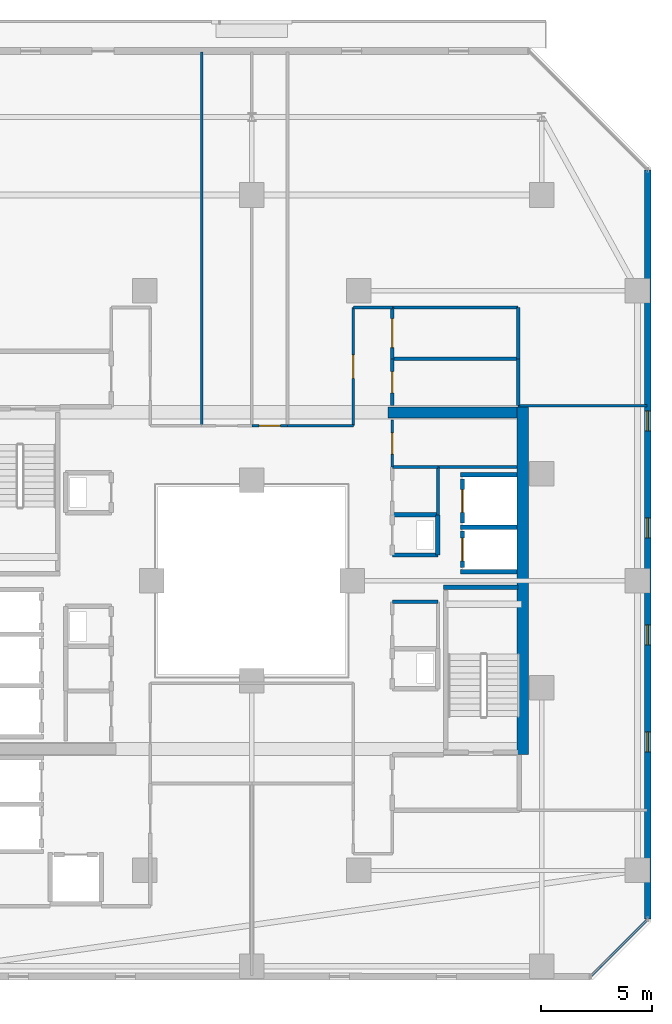
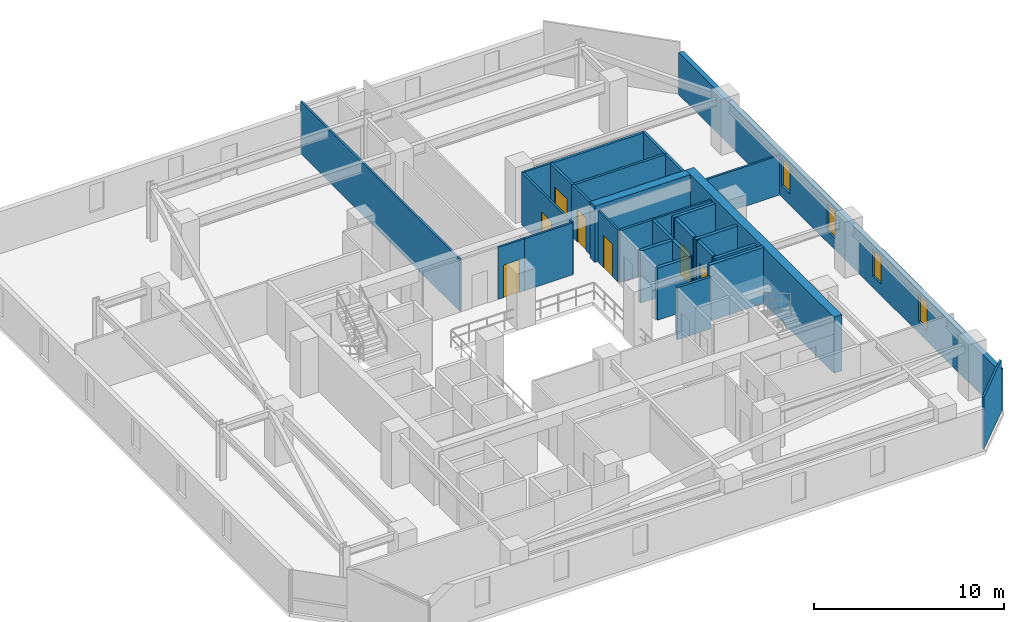
# One storey, part 25 of 33: 30 walls, 7 doors, 4 windows, 11 openings.
"""IFC4 building model written with IfcOpenShell, lengths in metres."""

from ifc_helpers import new_model, si_unit, direction, frame, frame_2d, origin, place, context, subcontext, project, spatial, rectangle, extrude, material, layer, layer_set, type_object, element, fill, save


model = new_model("IFC4")

# Units and contexts
model_context = context("Model", 3, precision=1e-05, world=origin(), true_north=direction((0.0, 1.0)))
body_context = subcontext(model_context, "Body", "Model", "MODEL_VIEW")
ifc_project = project(units=[si_unit("LENGTHUNIT", "METRE"), si_unit("AREAUNIT", "SQUARE_METRE"), si_unit("VOLUMEUNIT", "CUBIC_METRE"), si_unit("PLANEANGLEUNIT", "RADIAN"), si_unit("MASSUNIT", "GRAM", prefix="KILO")], contexts=[model_context])

# Site, building, storey
site_placement = place(None, origin())
site = spatial("IfcSite", under=ifc_project, at=site_placement, CompositionType="ELEMENT")
building_placement = place(site_placement, origin())
building = spatial("IfcBuilding", under=site, at=building_placement, Name="Thornwick Lancets Civic Towers", CompositionType="ELEMENT")
storey_placement = place(building_placement, frame((0.0, 0.0, 185.699951171875)))
storey = spatial("IfcBuildingStorey", under=building, at=storey_placement, Name="L49", CompositionType="ELEMENT", Elevation=185.699951171875)

# Wall, opening, door
ifc_material_1 = material(Name="Concrete blockwork C40/50", Category="masonry")
ifc_layer_1 = layer(ifc_material_1, 0.199951171875, Name="Concrete blockwork C40/50")
ifc_layer_set_1 = layer_set([ifc_layer_1], Name="Concrete blockwork C40/50")
wall_type_1 = type_object("IfcWallType", Name="WALL_COMP_200", PredefinedType="STANDARD", material=ifc_layer_set_1)
wall_1_placement = place(storey_placement, frame((97.949951171875, 29.219970703125, 0.0), z_axis=(0.0, 0.0, 1.0), x_axis=(0.0, -1.0, 0.0)))
wall_1 = element("IfcWall", 1, at=wall_1_placement, inside=storey, type_object=wall_type_1, Name="L49 Hoistway Front Wall FL-B1", PredefinedType="STANDARD", context=body_context, shape_type="SweptSolid", body=[
    extrude(rectangle(XDim=1.639892578125, YDim=0.199951171875, at=frame_2d((0.81982421875, 0.0))), origin(), (0.0, 0.0, 1.0), 3.340087890625),
])
opening_1_placement = place(wall_1_placement, frame((0.31005859375, 0.0, 0.0)))
opening_1 = element("IfcOpeningElement", 2, at=opening_1_placement, cuts=wall_1, Name="Opening LD-FL-B1", PredefinedType="OPENING", context=body_context, shape_type="SweptSolid", body=[
    extrude(rectangle(XDim=1.02001953125, YDim=2.06005859375, at=frame_2d((0.510009765625, 1.030029296875))), frame((0.0, 0.10986328125, 0.0), z_axis=(0.0, -1.0, 0.0), x_axis=(1.0, 0.0, 0.0)), (0.0, 0.0, 1.0), 0.219970703125),
])
ifc_material_2 = material(Name="Brushed bronze stainless steel", Category="steel")
door_type_1 = type_object("IfcDoorType", Name="DOOR_LIFT_SLIDE", OperationType="SLIDING_TO_LEFT", PredefinedType="DOOR", material=ifc_material_2)
door_1_placement = place(opening_1_placement, origin())
door_1 = element("IfcDoor", 3, at=door_1_placement, inside=storey, type_object=door_type_1, Name="L49 Sliding Lift Landing Door LD-FL-B1", OperationType="SLIDING_TO_LEFT", OverallHeight=2.06005859375, OverallWidth=1.02001953125, PredefinedType="DOOR", context=body_context, shape_type="SweptSolid", body=[
    extrude(rectangle(XDim=1.02001953125, YDim=2.06005859375, at=frame_2d((0.510009765625, 1.030029296875))), frame((0.0, 0.02490234375, 0.0), z_axis=(0.0, -1.0, 0.0), x_axis=(1.0, 0.0, 0.0)), (0.0, 0.0, 1.0), 0.050048828125),
])
fill(opening_1, door_1)

wall_2_placement = place(storey_placement, frame((97.949951171875, 31.570068359375, 0.0), z_axis=(0.0, 0.0, 1.0), x_axis=(0.0, -1.0, 0.0)))
wall_2 = element("IfcWall", 4, at=wall_2_placement, inside=storey, type_object=wall_type_1, Name="L49 Hoistway Front Wall PL-BH1", PredefinedType="STANDARD", context=body_context, shape_type="SweptSolid", body=[
    extrude(rectangle(XDim=1.989990234375, YDim=0.199951171875, at=frame_2d((0.9951171875, 0.0))), origin(), (0.0, 0.0, 1.0), 3.340087890625),
])
opening_2_placement = place(wall_2_placement, frame((0.485107421875, 0.0, 0.0)))
opening_2 = element("IfcOpeningElement", 5, at=opening_2_placement, cuts=wall_2, Name="Opening LD-PL-BH1", PredefinedType="OPENING", context=body_context, shape_type="SweptSolid", body=[
    extrude(rectangle(XDim=1.02001953125, YDim=2.06005859375, at=frame_2d((0.510009765625, 1.030029296875))), frame((0.0, 0.10986328125, 0.0), z_axis=(0.0, -1.0, 0.0), x_axis=(1.0, 0.0, 0.0)), (0.0, 0.0, 1.0), 0.219970703125),
])
door_2_placement = place(opening_2_placement, origin())
door_2 = element("IfcDoor", 6, at=door_2_placement, inside=storey, type_object=door_type_1, Name="L49 Sliding Lift Landing Door LD-PL-BH1", OperationType="SLIDING_TO_LEFT", OverallHeight=2.06005859375, OverallWidth=1.02001953125, PredefinedType="DOOR", context=body_context, shape_type="SweptSolid", body=[
    extrude(rectangle(XDim=1.02001953125, YDim=2.06005859375, at=frame_2d((0.510009765625, 1.030029296875))), frame((0.0, 0.02490234375, 0.0), z_axis=(0.0, -1.0, 0.0), x_axis=(1.0, 0.0, 0.0)), (0.0, 0.0, 1.0), 0.050048828125),
])
fill(opening_2, door_2)

# Walls
for number, where, z_axis, x_axis, name in (
    (7, (97.85205078125, 29.39990234375, 0.0), (0.0, 0.0, 1.0), (1.0, 0.0, 0.0), "L49 Hoistway Shaft Wall FL-B1 N"),
    (8, (97.85205078125, 27.39990234375, 0.0), (0.0, 0.0, 1.0), (1.0, 0.0, 0.0), "L49 Hoistway Shaft Wall FL-B1 S"),
    (9, (97.85205078125, 31.75, 0.0), (0.0, 0.0, 1.0), (1.0, 0.0, 0.0), "L49 Hoistway Shaft Wall PL-BH1 N"),
):
    element("IfcWall", number, at=place(storey_placement, frame(where, z_axis=z_axis, x_axis=x_axis)), inside=storey, type_object=wall_type_1, Name=name, PredefinedType="STANDARD", context=body_context, shape_type="SweptSolid", body=[
        extrude(rectangle(XDim=2.535888671875, YDim=0.199951171875, at=frame_2d((1.26806640625, 0.0))), origin(), (0.0, 0.0, 1.0), 3.340087890625),
    ])
wall_3_placement = place(storey_placement, frame((94.800048828125, 28.14990234375, 0.0), z_axis=(0.0, 0.0, 1.0), x_axis=(1.0, 0.0, 0.0)))
element("IfcWall", 10, at=wall_3_placement, inside=storey, type_object=wall_type_1, Name="L49 Partition L49-B-DUCT1 E1", PredefinedType="STANDARD", context=body_context, shape_type="SweptSolid", body=[
    extrude(rectangle(XDim=2.050048828125, YDim=0.199951171875, at=frame_2d((1.02490234375, 0.0))), origin(), (0.0, 0.0, 1.0), 3.340087890625),
])
wall_4_placement = place(storey_placement, frame((96.85009765625, 28.14990234375, 0.0), z_axis=(0.0, 0.0, 1.0), x_axis=(0.0, 1.0, 0.0)))
element("IfcWall", 11, at=wall_4_placement, inside=storey, type_object=wall_type_1, Name="L49 Partition L49-B-DUCT1 E2", PredefinedType="STANDARD", context=body_context, shape_type="SweptSolid", body=[
    extrude(rectangle(XDim=1.800048828125, YDim=0.199951171875, at=frame_2d((0.89990234375, 0.0))), origin(), (0.0, 0.0, 1.0), 3.340087890625),
])
wall_5_placement = place(storey_placement, frame((96.85009765625, 29.949951171875, 0.0), z_axis=(0.0, 0.0, 1.0), x_axis=(-1.0, 0.0, 0.0)))
element("IfcWall", 12, at=wall_5_placement, inside=storey, type_object=wall_type_1, Name="L49 Partition L49-B-DUCT1 E3", PredefinedType="STANDARD", context=body_context, shape_type="SweptSolid", body=[
    extrude(rectangle(XDim=2.050048828125, YDim=0.199951171875, at=frame_2d((1.02490234375, 0.0))), origin(), (0.0, 0.0, 1.0), 3.340087890625),
])
ifc_material_3 = material(Name="Concrete C50/60", Category="concrete")
ifc_layer_2 = layer(ifc_material_3, 0.5, Name="Concrete C50/60")
ifc_layer_set_2 = layer_set([ifc_layer_2], Name="Concrete C50/60")
wall_type_2 = type_object("IfcWallType", Name="WALL_CORE_500", PredefinedType="SHEAR", material=ifc_layer_set_2)
wall_6_placement = place(storey_placement, frame((100.64990234375, 19.199951171875, 0.0), z_axis=(0.0, 0.0, 1.0), x_axis=(0.0, 1.0, 0.0)))
element("IfcWall", 13, at=wall_6_placement, inside=storey, type_object=wall_type_2, Name="L49 Split Core B1 Shear Wall E", PredefinedType="SHEAR", context=body_context, shape_type="SweptSolid", body=[
    extrude(rectangle(XDim=15.60009765625, YDim=0.5, at=frame_2d((7.800048828125, 0.0))), origin(), (0.0, 0.0, 1.0), 3.60009765625),
])
wall_7_placement = place(storey_placement, frame((94.60009765625, 34.550048828125, 0.0), z_axis=(0.0, 0.0, 1.0), x_axis=(1.0, 0.0, 0.0)))
element("IfcWall", 14, at=wall_7_placement, inside=storey, type_object=wall_type_2, Name="L49 Split Core B1 Shear Wall N", PredefinedType="SHEAR", context=body_context, shape_type="SweptSolid", body=[
    extrude(rectangle(XDim=5.7998046875, YDim=0.5, at=frame_2d((2.89990234375, 0.0))), origin(), (0.0, 0.0, 1.0), 3.60009765625),
])

# Wall, openings, windows
ifc_material_4 = material(Name="Insulated russet terracotta rainscreen on concrete C40/50", Category="masonry")
ifc_layer_3 = layer(ifc_material_4, 0.300048828125, Name="Insulated russet terracotta rainscreen on concrete C40/50")
ifc_layer_set_3 = layer_set([ifc_layer_3], Name="Insulated russet terracotta rainscreen on concrete C40/50")
wall_type_3 = type_object("IfcWallType", Name="WALL_EXT_RUSSET_300", PredefinedType="STANDARD", material=ifc_layer_set_3)
wall_8_placement = place(storey_placement, frame((106.2646484375, 11.818603515625, 0.0), z_axis=(0.0, 0.0, 1.0), x_axis=(-0.000268805477, 0.999999963872, 0.0)))
wall_8 = element("IfcWall", 15, at=wall_8_placement, inside=storey, type_object=wall_type_3, Name="L49 Tower B Terracotta Facade Wall E2", PredefinedType="STANDARD", context=body_context, shape_type="SweptSolid", body=[
    extrude(rectangle(XDim=33.60498046875, YDim=0.300048828125, at=frame_2d((16.802490234375, 0.0))), origin(), (0.0, 0.0, 1.0), 2.699951171875),
])
opening_3_placement = place(wall_8_placement, frame((7.5, 0.0, 0.719970703125)))
opening_3 = element("IfcOpeningElement", 16, at=opening_3_placement, cuts=wall_8, Name="Opening WL-01", PredefinedType="OPENING", context=body_context, shape_type="SweptSolid", body=[
    extrude(rectangle(XDim=0.89990234375, YDim=1.75, at=frame_2d((0.449951171875, 0.875))), frame((0.0, 0.16015625, 0.0), z_axis=(0.0, -1.0, 0.0), x_axis=(1.0, 0.0, 0.0)), (0.0, 0.0, 1.0), 0.320068359375),
])
opening_4_placement = place(wall_8_placement, frame((12.300048828125, 0.0, 0.719970703125)))
opening_4 = element("IfcOpeningElement", 17, at=opening_4_placement, cuts=wall_8, Name="Opening WL-01", PredefinedType="OPENING", context=body_context, shape_type="SweptSolid", body=[
    extrude(rectangle(XDim=0.89990234375, YDim=1.75, at=frame_2d((0.449951171875, 0.875))), frame((0.0, 0.16015625, 0.0), z_axis=(0.0, -1.0, 0.0), x_axis=(1.0, 0.0, 0.0)), (0.0, 0.0, 1.0), 0.320068359375),
])
opening_5_placement = place(wall_8_placement, frame((17.10009765625, 0.0, 0.719970703125)))
opening_5 = element("IfcOpeningElement", 18, at=opening_5_placement, cuts=wall_8, Name="Opening WL-01", PredefinedType="OPENING", context=body_context, shape_type="SweptSolid", body=[
    extrude(rectangle(XDim=0.89990234375, YDim=1.75, at=frame_2d((0.449951171875, 0.875))), frame((0.0, 0.16015625, 0.0), z_axis=(0.0, -1.0, 0.0), x_axis=(1.0, 0.0, 0.0)), (0.0, 0.0, 1.0), 0.320068359375),
])
opening_6_placement = place(wall_8_placement, frame((21.89990234375, 0.0, 0.719970703125)))
opening_6 = element("IfcOpeningElement", 19, at=opening_6_placement, cuts=wall_8, Name="Opening WL-01", PredefinedType="OPENING", context=body_context, shape_type="SweptSolid", body=[
    extrude(rectangle(XDim=0.89990234375, YDim=1.75, at=frame_2d((0.449951171875, 0.875))), frame((0.0, 0.16015625, 0.0), z_axis=(0.0, -1.0, 0.0), x_axis=(1.0, 0.0, 0.0)), (0.0, 0.0, 1.0), 0.320068359375),
])
ifc_material_5 = material(Name="Clear low-e double glazing in bronze frame", Category="glass")
window_type = type_object("IfcWindowType", Name="WIN_LANCET_900", PartitioningType="SINGLE_PANEL", PredefinedType="WINDOW", material=ifc_material_5)
window_1_placement = place(opening_3_placement, origin())
window_1 = element("IfcWindow", 20, at=window_1_placement, inside=storey, type_object=window_type, Name="L49 Tower B Staggered Lancet Window E2-1", OverallHeight=1.75, OverallWidth=0.89990234375, PartitioningType="SINGLE_PANEL", PredefinedType="WINDOW", context=body_context, shape_type="SweptSolid", body=[
    extrude(rectangle(XDim=0.89990234375, YDim=1.75, at=frame_2d((0.449951171875, 0.875))), frame((0.0, 0.030029296875, 0.0), z_axis=(0.0, -1.0, 0.0), x_axis=(1.0, 0.0, 0.0)), (0.0, 0.0, 1.0), 0.06005859375),
])
fill(opening_3, window_1)
window_2_placement = place(opening_4_placement, origin())
window_2 = element("IfcWindow", 21, at=window_2_placement, inside=storey, type_object=window_type, Name="L49 Tower B Staggered Lancet Window E2-2", OverallHeight=1.75, OverallWidth=0.89990234375, PartitioningType="SINGLE_PANEL", PredefinedType="WINDOW", context=body_context, shape_type="SweptSolid", body=[
    extrude(rectangle(XDim=0.89990234375, YDim=1.75, at=frame_2d((0.449951171875, 0.875))), frame((0.0, 0.030029296875, 0.0), z_axis=(0.0, -1.0, 0.0), x_axis=(1.0, 0.0, 0.0)), (0.0, 0.0, 1.0), 0.06005859375),
])
fill(opening_4, window_2)
window_3_placement = place(opening_5_placement, origin())
window_3 = element("IfcWindow", 22, at=window_3_placement, inside=storey, type_object=window_type, Name="L49 Tower B Staggered Lancet Window E2-3", OverallHeight=1.75, OverallWidth=0.89990234375, PartitioningType="SINGLE_PANEL", PredefinedType="WINDOW", context=body_context, shape_type="SweptSolid", body=[
    extrude(rectangle(XDim=0.89990234375, YDim=1.75, at=frame_2d((0.449951171875, 0.875))), frame((0.0, 0.030029296875, 0.0), z_axis=(0.0, -1.0, 0.0), x_axis=(1.0, 0.0, 0.0)), (0.0, 0.0, 1.0), 0.06005859375),
])
fill(opening_5, window_3)
window_4_placement = place(opening_6_placement, origin())
window_4 = element("IfcWindow", 23, at=window_4_placement, inside=storey, type_object=window_type, Name="L49 Tower B Staggered Lancet Window E2-4", OverallHeight=1.75, OverallWidth=0.89990234375, PartitioningType="SINGLE_PANEL", PredefinedType="WINDOW", context=body_context, shape_type="SweptSolid", body=[
    extrude(rectangle(XDim=0.89990234375, YDim=1.75, at=frame_2d((0.449951171875, 0.875))), frame((0.0, 0.030029296875, 0.0), z_axis=(0.0, -1.0, 0.0), x_axis=(1.0, 0.0, 0.0)), (0.0, 0.0, 1.0), 0.06005859375),
])
fill(opening_6, window_4)

# Wall, opening, door
ifc_material_6 = material(Name="Acoustic gypsum board partition")
ifc_layer_4 = layer(ifc_material_6, 0.1201171875, Name="Acoustic gypsum board partition")
ifc_layer_set_4 = layer_set([ifc_layer_4], Name="Acoustic gypsum board partition")
wall_type_4 = type_object("IfcWallType", Name="WALL_PART_120", PredefinedType="PARTITIONING", material=ifc_layer_set_4)
wall_9_placement = place(storey_placement, frame((94.800048828125, 32.10009765625, 0.0), z_axis=(0.0, 0.0, 1.0), x_axis=(0.0, 1.0, 0.0)))
wall_9 = element("IfcWall", 24, at=wall_9_placement, inside=storey, type_object=wall_type_4, Name="L49 Partition L49-B-ITR E1", PredefinedType="PARTITIONING", context=body_context, shape_type="SweptSolid", body=[
    extrude(rectangle(XDim=2.099853515625, YDim=0.1201171875, at=frame_2d((1.0498046875, 0.0))), origin(), (0.0, 0.0, 1.0), 3.340087890625),
])
opening_7_placement = place(wall_9_placement, frame((0.574951171875, 0.0, 0.0)))
opening_7 = element("IfcOpeningElement", 25, at=opening_7_placement, cuts=wall_9, Name="Opening D-L49-2180", PredefinedType="OPENING", context=body_context, shape_type="SweptSolid", body=[
    extrude(rectangle(XDim=0.949951171875, YDim=2.10009765625, at=frame_2d((0.47509765625, 1.050048828125))), frame((0.0, 0.070068359375, 0.0), z_axis=(0.0, -1.0, 0.0), x_axis=(1.0, 0.0, 0.0)), (0.0, 0.0, 1.0), 0.14013671875),
])
ifc_material_7 = material(Name="European oak acoustic doorset")
door_type_2 = type_object("IfcDoorType", Name="DOOR_OFFICE_950", OperationType="NOTDEFINED", PredefinedType="DOOR", material=ifc_material_7)
door_3_placement = place(opening_7_placement, origin())
door_3 = element("IfcDoor", 26, at=door_3_placement, inside=storey, type_object=door_type_2, Name="L49 Tower B Comms Patch Room Door", OperationType="SINGLE_SWING_LEFT", OverallHeight=2.10009765625, OverallWidth=0.949951171875, PredefinedType="DOOR", context=body_context, shape_type="SweptSolid", body=[
    extrude(rectangle(XDim=0.949951171875, YDim=2.10009765625, at=frame_2d((0.47509765625, 1.050048828125))), frame((0.0, 0.02490234375, 0.0), z_axis=(0.0, -1.0, 0.0), x_axis=(1.0, 0.0, 0.0)), (0.0, 0.0, 1.0), 0.050048828125),
])
fill(opening_7, door_3)

# Walls
wall_10_placement = place(storey_placement, frame((100.39990234375, 32.10009765625, 0.0), z_axis=(0.0, 0.0, 1.0), x_axis=(-1.0, 0.0, 0.0)))
element("IfcWall", 27, at=wall_10_placement, inside=storey, type_object=wall_type_4, Name="L49 Partition L49-B-ITR E4", PredefinedType="PARTITIONING", context=body_context, shape_type="SweptSolid", body=[
    extrude(rectangle(XDim=3.5498046875, YDim=0.1201171875, at=frame_2d((1.77490234375, 0.0))), origin(), (0.0, 0.0, 1.0), 3.340087890625),
])
wall_11_placement = place(storey_placement, frame((106.219970703125, 11.774658203125, 0.0), z_axis=(0.0, 0.0, 1.0), x_axis=(-0.707106781187, -0.707106781187, 0.0)))
element("IfcWall", 28, at=wall_11_placement, inside=storey, type_object=wall_type_4, Name="L49 Partition L49-B-W1 E11", PredefinedType="PARTITIONING", context=body_context, shape_type="SweptSolid", body=[
    extrude(rectangle(XDim=3.52783203125, YDim=0.1201171875, at=frame_2d((1.763916015625, 0.0))), origin(), (0.0, 0.0, 1.0), 3.340087890625),
])
wall_12_placement = place(storey_placement, frame((94.800048828125, 39.25, 0.0), z_axis=(0.0, 0.0, 1.0), x_axis=(-1.0, 0.0, 0.0)))
element("IfcWall", 29, at=wall_12_placement, inside=storey, type_object=wall_type_4, Name="L49 Partition L49-B-E1 E4", PredefinedType="PARTITIONING", context=body_context, shape_type="SweptSolid", body=[
    extrude(rectangle(XDim=1.75, YDim=0.1201171875, at=frame_2d((0.875, 0.0))), origin(), (0.0, 0.0, 1.0), 3.340087890625),
])

# Wall, opening, door
wall_13_placement = place(storey_placement, frame((93.050048828125, 39.25, 0.0), z_axis=(0.0, 0.0, 1.0), x_axis=(0.0, -1.0, 0.0)))
wall_13 = element("IfcWall", 30, at=wall_13_placement, inside=storey, type_object=wall_type_4, Name="L49 Partition L49-B-E1 E5", PredefinedType="PARTITIONING", context=body_context, shape_type="SweptSolid", body=[
    extrude(rectangle(XDim=5.300048828125, YDim=0.1201171875, at=frame_2d((2.64990234375, 0.0))), origin(), (0.0, 0.0, 1.0), 3.340087890625),
])
opening_8_placement = place(wall_13_placement, frame((2.125, 0.0, 0.0)))
opening_8 = element("IfcOpeningElement", 31, at=opening_8_placement, cuts=wall_13, Name="Opening D-L49-2197", PredefinedType="OPENING", context=body_context, shape_type="SweptSolid", body=[
    extrude(rectangle(XDim=1.050048828125, YDim=2.10009765625, at=frame_2d((0.52490234375, 1.050048828125))), frame((0.0, 0.070068359375, 0.0), z_axis=(0.0, -1.0, 0.0), x_axis=(1.0, 0.0, 0.0)), (0.0, 0.0, 1.0), 0.14013671875),
])
ifc_material_8 = material(Name="Glazed European oak executive doorset")
door_type_3 = type_object("IfcDoorType", Name="DOOR_OFFICE_1050", OperationType="NOTDEFINED", PredefinedType="DOOR", material=ifc_material_8)
door_4_placement = place(opening_8_placement, origin())
door_4 = element("IfcDoor", 32, at=door_4_placement, inside=storey, type_object=door_type_3, Name="L49 Tower B Secretariat Open Office E1 Door", OperationType="SINGLE_SWING_RIGHT", OverallHeight=2.10009765625, OverallWidth=1.050048828125, PredefinedType="DOOR", context=body_context, shape_type="SweptSolid", body=[
    extrude(rectangle(XDim=1.050048828125, YDim=2.10009765625, at=frame_2d((0.52490234375, 1.050048828125))), frame((0.0, 0.02490234375, 0.0), z_axis=(0.0, -1.0, 0.0), x_axis=(1.0, 0.0, 0.0)), (0.0, 0.0, 1.0), 0.050048828125),
])
fill(opening_8, door_4)

# Walls
wall_14_placement = place(storey_placement, frame((93.050048828125, 33.949951171875, 0.0), z_axis=(0.0, 0.0, 1.0), x_axis=(-1.0, 0.0, 0.0)))
element("IfcWall", 33, at=wall_14_placement, inside=storey, type_object=wall_type_4, Name="L49 Partition L49-B-E1 E6", PredefinedType="PARTITIONING", context=body_context, shape_type="SweptSolid", body=[
    extrude(rectangle(XDim=2.949951171875, YDim=0.1201171875, at=frame_2d((1.47509765625, 0.0))), origin(), (0.0, 0.0, 1.0), 3.340087890625),
])
wall_15_placement = place(storey_placement, frame((106.219970703125, 34.85009765625, 0.0), z_axis=(0.0, 0.0, 1.0), x_axis=(-1.0, 0.0, 0.0)))
element("IfcWall", 34, at=wall_15_placement, inside=storey, type_object=wall_type_4, Name="L49 Partition L49-B-E1 E11", PredefinedType="PARTITIONING", context=body_context, shape_type="SweptSolid", body=[
    extrude(rectangle(XDim=5.77001953125, YDim=0.1201171875, at=frame_2d((2.885009765625, 0.0))), origin(), (0.0, 0.0, 1.0), 2.545166015625),
])

# Wall, opening, door
wall_16_placement = place(storey_placement, frame((90.10009765625, 33.949951171875, 0.0), z_axis=(0.0, 0.0, 1.0), x_axis=(-1.0, 0.0, 0.0)))
wall_16 = element("IfcWall", 35, at=wall_16_placement, inside=storey, type_object=wall_type_4, Name="L49 Partition L49-B-E2 E4", PredefinedType="PARTITIONING", context=body_context, shape_type="SweptSolid", body=[
    extrude(rectangle(XDim=1.60009765625, YDim=0.1201171875, at=frame_2d((0.800048828125, 0.0))), origin(), (0.0, 0.0, 1.0), 3.340087890625),
])
opening_9_placement = place(wall_16_placement, frame((0.324951171875, 0.0, 0.0)))
opening_9 = element("IfcOpeningElement", 36, at=opening_9_placement, cuts=wall_16, Name="Opening D-L49-2198", PredefinedType="OPENING", context=body_context, shape_type="SweptSolid", body=[
    extrude(rectangle(XDim=0.949951171875, YDim=2.10009765625, at=frame_2d((0.47509765625, 1.050048828125))), frame((0.0, 0.070068359375, 0.0), z_axis=(0.0, -1.0, 0.0), x_axis=(1.0, 0.0, 0.0)), (0.0, 0.0, 1.0), 0.14013671875),
])
door_5_placement = place(opening_9_placement, origin())
door_5 = element("IfcDoor", 37, at=door_5_placement, inside=storey, type_object=door_type_2, Name="L49 Tower B Visitors Reception and Waiting Door", OperationType="SINGLE_SWING_LEFT", OverallHeight=2.10009765625, OverallWidth=0.949951171875, PredefinedType="DOOR", context=body_context, shape_type="SweptSolid", body=[
    extrude(rectangle(XDim=0.949951171875, YDim=2.10009765625, at=frame_2d((0.47509765625, 1.050048828125))), frame((0.0, 0.02490234375, 0.0), z_axis=(0.0, -1.0, 0.0), x_axis=(1.0, 0.0, 0.0)), (0.0, 0.0, 1.0), 0.050048828125),
])
fill(opening_9, door_5)

# Walls
wall_17_placement = place(storey_placement, frame((86.25, 33.949951171875, 0.0), z_axis=(0.0, 0.0, 1.0), x_axis=(0.0, 1.0, 0.0)))
element("IfcWall", 38, at=wall_17_placement, inside=storey, type_object=wall_type_4, Name="L49 Partition L49-B-E3 E1", PredefinedType="PARTITIONING", context=body_context, shape_type="SweptSolid", body=[
    extrude(rectangle(XDim=16.77001953125, YDim=0.1201171875, at=frame_2d((8.385009765625, 0.0))), origin(), (0.0, 0.0, 1.0), 3.340087890625),
])
ifc_material_9 = material(Name="Twin-stud acoustic gypsum board")
ifc_layer_5 = layer(ifc_material_9, 0.14990234375, Name="Twin-stud acoustic gypsum board")
ifc_layer_set_5 = layer_set([ifc_layer_5], Name="Twin-stud acoustic gypsum board")
wall_type_5 = type_object("IfcWallType", Name="WALL_PART_150", PredefinedType="PARTITIONING", material=ifc_layer_set_5)
for number, where, z_axis, x_axis, name in (
    (39, (94.800048828125, 26.050048828125, 0.0), (0.0, 0.0, 1.0), (1.0, 0.0, 0.0), "L49 Partition L49-B-MWC E2"),
    (40, (94.800048828125, 32.10009765625, 0.0), (0.0, 0.0, 1.0), (1.0, 0.0, 0.0), "L49 Partition L49-B-FWC E2"),
):
    element("IfcWall", number, at=place(storey_placement, frame(where, z_axis=z_axis, x_axis=x_axis)), inside=storey, type_object=wall_type_5, Name=name, PredefinedType="PARTITIONING", context=body_context, shape_type="SweptSolid", body=[
        extrude(rectangle(XDim=2.050048828125, YDim=0.14990234375, at=frame_2d((1.02490234375, 0.0))), origin(), (0.0, 0.0, 1.0), 3.340087890625),
    ])
wall_18_placement = place(storey_placement, frame((96.85009765625, 32.10009765625, 0.0), z_axis=(0.0, 0.0, 1.0), x_axis=(0.0, -1.0, 0.0)))
element("IfcWall", 41, at=wall_18_placement, inside=storey, type_object=wall_type_5, Name="L49 Partition L49-B-FWC E3", PredefinedType="PARTITIONING", context=body_context, shape_type="SweptSolid", body=[
    extrude(rectangle(XDim=2.150146484375, YDim=0.14990234375, at=frame_2d((1.0751953125, 0.0))), origin(), (0.0, 0.0, 1.0), 3.340087890625),
])
wall_19_placement = place(storey_placement, frame((100.449951171875, 36.949951171875, 0.0), z_axis=(0.0, 0.0, 1.0), x_axis=(0.0, -1.0, 0.0)))
element("IfcWall", 42, at=wall_19_placement, inside=storey, type_object=wall_type_5, Name="L49 Partition L49-B-RECLAIM-L1 E1", PredefinedType="PARTITIONING", context=body_context, shape_type="SweptSolid", body=[
    extrude(rectangle(XDim=2.099853515625, YDim=0.14990234375, at=frame_2d((1.0498046875, 0.0))), origin(), (0.0, 0.0, 1.0), 3.340087890625),
])

# Wall, opening, door
wall_20_placement = place(storey_placement, frame((94.800048828125, 34.85009765625, 0.0), z_axis=(0.0, 0.0, 1.0), x_axis=(0.0, 1.0, 0.0)))
wall_20 = element("IfcWall", 43, at=wall_20_placement, inside=storey, type_object=wall_type_5, Name="L49 Partition L49-B-RECLAIM-L1 E3", PredefinedType="PARTITIONING", context=body_context, shape_type="SweptSolid", body=[
    extrude(rectangle(XDim=2.099853515625, YDim=0.14990234375, at=frame_2d((1.0498046875, 0.0))), origin(), (0.0, 0.0, 1.0), 3.340087890625),
])
opening_10_placement = place(wall_20_placement, frame((0.574951171875, 0.0, 0.0)))
opening_10 = element("IfcOpeningElement", 44, at=opening_10_placement, cuts=wall_20, Name="Opening D-L49-2192", PredefinedType="OPENING", context=body_context, shape_type="SweptSolid", body=[
    extrude(rectangle(XDim=0.949951171875, YDim=2.10009765625, at=frame_2d((0.47509765625, 1.050048828125))), frame((0.0, 0.0849609375, 0.0), z_axis=(0.0, -1.0, 0.0), x_axis=(1.0, 0.0, 0.0)), (0.0, 0.0, 1.0), 0.169921875),
])
door_6_placement = place(opening_10_placement, origin())
door_6 = element("IfcDoor", 45, at=door_6_placement, inside=storey, type_object=door_type_2, Name="L49 Tower B Policy Archive Door", OperationType="SINGLE_SWING_LEFT", OverallHeight=2.10009765625, OverallWidth=0.949951171875, PredefinedType="DOOR", context=body_context, shape_type="SweptSolid", body=[
    extrude(rectangle(XDim=0.949951171875, YDim=2.10009765625, at=frame_2d((0.47509765625, 1.050048828125))), frame((0.0, 0.02490234375, 0.0), z_axis=(0.0, -1.0, 0.0), x_axis=(1.0, 0.0, 0.0)), (0.0, 0.0, 1.0), 0.050048828125),
])
fill(opening_10, door_6)

# Wall
wall_21_placement = place(storey_placement, frame((94.800048828125, 36.949951171875, 0.0), z_axis=(0.0, 0.0, 1.0), x_axis=(1.0, 0.0, 0.0)))
element("IfcWall", 46, at=wall_21_placement, inside=storey, type_object=wall_type_5, Name="L49 Partition L49-B-RECLAIM-L1 E4", PredefinedType="PARTITIONING", context=body_context, shape_type="SweptSolid", body=[
    extrude(rectangle(XDim=5.64990234375, YDim=0.14990234375, at=frame_2d((2.824951171875, 0.0))), origin(), (0.0, 0.0, 1.0), 3.340087890625),
])

# Wall, opening, door
wall_22_placement = place(storey_placement, frame((94.800048828125, 36.949951171875, 0.0), z_axis=(0.0, 0.0, 1.0), x_axis=(0.0, 1.0, 0.0)))
wall_22 = element("IfcWall", 47, at=wall_22_placement, inside=storey, type_object=wall_type_5, Name="L49 Partition L49-B-RECLAIM-L2 E1", PredefinedType="PARTITIONING", context=body_context, shape_type="SweptSolid", body=[
    extrude(rectangle(XDim=2.300048828125, YDim=0.14990234375, at=frame_2d((1.14990234375, 0.0))), origin(), (0.0, 0.0, 1.0), 3.340087890625),
])
opening_11_placement = place(wall_22_placement, frame((0.5, 0.0, 0.0)))
opening_11 = element("IfcOpeningElement", 48, at=opening_11_placement, cuts=wall_22, Name="Opening D-L49-2193", PredefinedType="OPENING", context=body_context, shape_type="SweptSolid", body=[
    extrude(rectangle(XDim=1.300048828125, YDim=2.1201171875, at=frame_2d((0.64990234375, 1.06005859375))), frame((0.0, 0.0849609375, 0.0), z_axis=(0.0, -1.0, 0.0), x_axis=(1.0, 0.0, 0.0)), (0.0, 0.0, 1.0), 0.169921875),
])
ifc_material_10 = material(Name="Acoustic oak leaf-and-a-half doorset")
door_type_4 = type_object("IfcDoorType", Name="DOOR_MEET_1300", OperationType="DOUBLE_DOOR_SINGLE_SWING", PredefinedType="DOOR", material=ifc_material_10)
door_7_placement = place(opening_11_placement, origin())
door_7 = element("IfcDoor", 49, at=door_7_placement, inside=storey, type_object=door_type_4, Name="L49 Tower B Ministerial Consultation Room Door", OperationType="DOUBLE_DOOR_SINGLE_SWING", OverallHeight=2.1201171875, OverallWidth=1.300048828125, PredefinedType="DOOR", context=body_context, shape_type="SweptSolid", body=[
    extrude(rectangle(XDim=1.300048828125, YDim=2.1201171875, at=frame_2d((0.64990234375, 1.06005859375))), frame((0.0, 0.02490234375, 0.0), z_axis=(0.0, -1.0, 0.0), x_axis=(1.0, 0.0, 0.0)), (0.0, 0.0, 1.0), 0.050048828125),
])
fill(opening_11, door_7)

# Walls
wall_23_placement = place(storey_placement, frame((94.800048828125, 39.25, 0.0), z_axis=(0.0, 0.0, 1.0), x_axis=(1.0, 0.0, 0.0)))
element("IfcWall", 50, at=wall_23_placement, inside=storey, type_object=wall_type_5, Name="L49 Partition L49-B-RECLAIM-L2 E2", PredefinedType="PARTITIONING", context=body_context, shape_type="SweptSolid", body=[
    extrude(rectangle(XDim=5.64990234375, YDim=0.14990234375, at=frame_2d((2.824951171875, 0.0))), origin(), (0.0, 0.0, 1.0), 3.340087890625),
])
wall_24_placement = place(storey_placement, frame((100.449951171875, 39.25, 0.0), z_axis=(0.0, 0.0, 1.0), x_axis=(0.0, -1.0, 0.0)))
element("IfcWall", 51, at=wall_24_placement, inside=storey, type_object=wall_type_5, Name="L49 Partition L49-B-RECLAIM-L2 E3", PredefinedType="PARTITIONING", context=body_context, shape_type="SweptSolid", body=[
    extrude(rectangle(XDim=2.300048828125, YDim=0.14990234375, at=frame_2d((1.14990234375, 0.0))), origin(), (0.0, 0.0, 1.0), 3.340087890625),
])
ifc_material_11 = material(Name="Concrete C40/50", Category="concrete")
ifc_layer_6 = layer(ifc_material_11, 0.199951171875, Name="Concrete C40/50")
ifc_layer_set_6 = layer_set([ifc_layer_6], Name="Concrete C40/50")
wall_type_6 = type_object("IfcWallType", Name="WALL_SHAFT_200", PredefinedType="SHEAR", material=ifc_layer_set_6)
wall_25_placement = place(storey_placement, frame((97.10009765625, 26.699951171875, 0.0), z_axis=(0.0, 0.0, 1.0), x_axis=(1.0, 0.0, 0.0)))
element("IfcWall", 52, at=wall_25_placement, inside=storey, type_object=wall_type_6, Name="L49 ST-B1 Fire Stair Core Wall FAR", PredefinedType="SHEAR", context=body_context, shape_type="SweptSolid", body=[
    extrude(rectangle(XDim=3.349853515625, YDim=0.199951171875, at=frame_2d((1.6748046875, 0.0))), origin(), (0.0, 0.0, 1.0), 3.60009765625),
])

save(model, "model.ifc")
